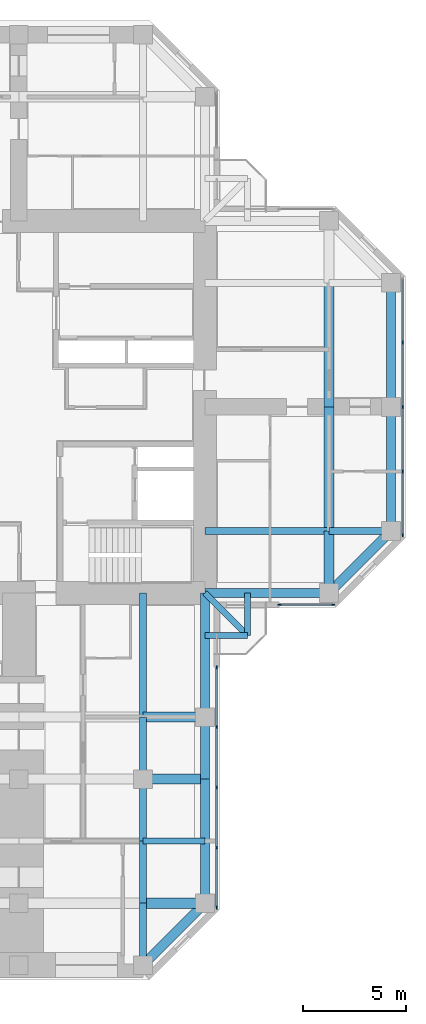
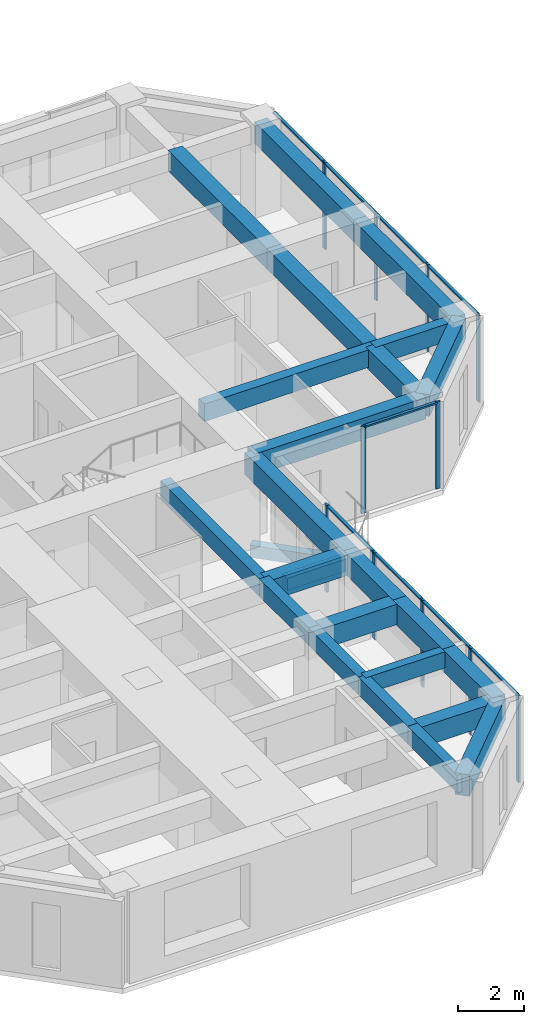
# One storey, part 4 of 14: 26 beams, 20 members, 3 elements without a shape of their own.
"""IFC4 building model written with IfcOpenShell, lengths in metres."""

from ifc_helpers import new_model, si_unit, direction, frame, origin, origin_2d, place, context, subcontext, project, spatial, rectangle, extrude, material, material_profile, profile_set, type_object, element, aggregate, save


model = new_model("IFC4")

# Units and contexts
model_context = context("Model", 3, precision=1e-05, world=origin(), true_north=direction((0.0, 1.0)))
body_context = subcontext(model_context, "Body", "Model", "MODEL_VIEW")
ifc_project = project(units=[si_unit("LENGTHUNIT", "METRE"), si_unit("AREAUNIT", "SQUARE_METRE"), si_unit("VOLUMEUNIT", "CUBIC_METRE"), si_unit("PLANEANGLEUNIT", "RADIAN"), si_unit("MASSUNIT", "GRAM", prefix="KILO")], contexts=[model_context])

# Site, building, storey
site_placement = place(None, origin())
site = spatial("IfcSite", under=ifc_project, at=site_placement, CompositionType="ELEMENT")
building_placement = place(site_placement, origin())
building = spatial("IfcBuilding", under=site, at=building_placement, Name="Torre Cruceta", CompositionType="ELEMENT")
storey_placement = place(building_placement, frame((0.0, 0.0, 210.300048828125)))
storey = spatial("IfcBuildingStorey", under=building, at=storey_placement, Name="L53", CompositionType="ELEMENT", Elevation=210.300048828125)

# Beams
ifc_material_1 = material(Name="Concrete G60 (fck 60 MPa)", Category="concrete")
ifc_material_profile_1 = material_profile(ifc_material_1, rectangle(XDim=0.300048828125, YDim=0.449951171875, at=origin_2d()), Name="RC 300X450")
ifc_profile_set_1 = profile_set([ifc_material_profile_1], Name="Concrete G60 (fck 60 MPa)")
beam_type_1 = type_object("IfcBeamType", Name="BALCONY CANTILEVER BEAM RC 300X450", PredefinedType="BEAM", material=ifc_profile_set_1)
beam_1_placement = place(storey_placement, frame((9.0, -9.0, -0.405029296875), z_axis=(0.707106781187, -0.707106781187, 0.0), x_axis=(0.707106781187, 0.707106781187, 0.0)))
element("IfcBeam", 1, at=beam_1_placement, inside=storey, type_object=beam_type_1, Name="BB1 balcony beam L53 S", PredefinedType="BEAM", context=body_context, shape_type="SweptSolid", body=[
    extrude(rectangle(XDim=0.300048828125, YDim=0.449951171875, at=origin_2d()), origin(), (0.0, 0.0, 1.0), 2.89990234375),
])
for number, where, z_axis, x_axis, name in (
    (2, (11.050537109375, -9.0, -0.405029296875), (0.0, -1.0, 0.0), (1.0, 0.0, 0.0), "BB1 balcony edge beam L53 S-X"),
    (3, (9.0, -11.050537109375, -0.405029296875), (1.0, 0.0, 0.0), (0.0, 1.0, 0.0), "BB1 balcony edge beam L53 S-Y"),
):
    element("IfcBeam", number, at=place(storey_placement, frame(where, z_axis=z_axis, x_axis=x_axis)), inside=storey, type_object=beam_type_1, Name=name, PredefinedType="BEAM", context=body_context, shape_type="SweptSolid", body=[
        extrude(rectangle(XDim=0.300048828125, YDim=0.449951171875, at=origin_2d()), origin(), (0.0, 0.0, 1.0), 2.050537109375),
    ])
ifc_material_2 = material(Name="Concrete G60 (fck 60 MPa)", Category="concrete")
ifc_material_profile_2 = material_profile(ifc_material_2, rectangle(XDim=0.35009765625, YDim=0.64990234375, at=origin_2d()), Name="RC 350X650")
ifc_profile_set_2 = profile_set([ifc_material_profile_2], Name="Concrete G60 (fck 60 MPa)")
beam_type_2 = type_object("IfcBeamType", Name="COLUMN LINE BEAM RC 350X650", PredefinedType="BEAM", material=ifc_profile_set_2)
beam_2_placement = place(storey_placement, frame((9.0, -6.0, 2.89501953125), z_axis=(1.0, 0.0, 0.0), x_axis=(0.0, 1.0, 0.0)))
element("IfcBeam", 4, at=beam_2_placement, inside=storey, type_object=beam_type_2, Name="LB7 L53 E col- 1", PredefinedType="BEAM", context=body_context, shape_type="SweptSolid", body=[
    extrude(rectangle(XDim=0.35009765625, YDim=0.64990234375, at=origin_2d()), origin(), (0.0, 0.0, 1.0), 6.0),
])
beam_3_placement = place(storey_placement, frame((15.0, -6.0, 2.89501953125), z_axis=(1.0, 0.0, 0.0), x_axis=(0.0, 1.0, 0.0)))
element("IfcBeam", 5, at=beam_3_placement, inside=storey, type_object=beam_type_2, Name="LB7 L53 E col- 2", PredefinedType="BEAM", context=body_context, shape_type="SweptSolid", body=[
    extrude(rectangle(XDim=0.35009765625, YDim=0.64990234375, at=origin_2d()), origin(), (0.0, 0.0, 1.0), 3.0),
])
beam_4_placement = place(storey_placement, frame((6.0, -9.0, 2.89501953125), z_axis=(0.0, -1.0, 0.0), x_axis=(1.0, 0.0, 0.0)))
element("IfcBeam", 6, at=beam_4_placement, inside=storey, type_object=beam_type_2, Name="LB7 L53 S col+ 1", PredefinedType="BEAM", context=body_context, shape_type="SweptSolid", body=[
    extrude(rectangle(XDim=0.35009765625, YDim=0.64990234375, at=origin_2d()), origin(), (0.0, 0.0, 1.0), 6.0),
])
for number, where, z_axis, x_axis, name in (
    (7, (6.0, -15.0, 2.89501953125), (0.0, -1.0, 0.0), (1.0, 0.0, 0.0), "LB7 L53 S col+ 2"),
    (8, (6.0, -18.0, 2.89501953125), (0.0, -1.0, 0.0), (1.0, 0.0, 0.0), "LB7 L53 S col+ 3"),
    (9, (6.0, -21.0, 2.89501953125), (0.0, -1.0, 0.0), (1.0, 0.0, 0.0), "LB7 L53 S col+ 4"),
    (10, (6.0, -24.0, 2.89501953125), (0.0, -1.0, 0.0), (1.0, 0.0, 0.0), "LB7 L53 S col+ 5"),
):
    element("IfcBeam", number, at=place(storey_placement, frame(where, z_axis=z_axis, x_axis=x_axis)), inside=storey, type_object=beam_type_2, Name=name, PredefinedType="BEAM", context=body_context, shape_type="SweptSolid", body=[
        extrude(rectangle(XDim=0.35009765625, YDim=0.64990234375, at=origin_2d()), origin(), (0.0, 0.0, 1.0), 3.0),
    ])
ifc_material_3 = material(Name="Concrete G60 (fck 60 MPa)", Category="concrete")
ifc_material_profile_3 = material_profile(ifc_material_3, rectangle(XDim=0.5, YDim=0.75, at=origin_2d()), Name="RC 500X750")
ifc_profile_set_3 = profile_set([ifc_material_profile_3], Name="Concrete G60 (fck 60 MPa)")
beam_type_3 = type_object("IfcBeamType", Name="CROSS BEAM RC 500X750", PredefinedType="BEAM", material=ifc_profile_set_3)
beam_5_placement = place(storey_placement, frame((15.0, -9.0, 2.844970703125), z_axis=(0.0, 1.0, 0.0), x_axis=(-1.0, 0.0, 0.0)))
element("IfcBeam", 11, at=beam_5_placement, inside=storey, type_object=beam_type_3, Name="GB6 L53 E cross15 1", PredefinedType="BEAM", context=body_context, shape_type="SweptSolid", body=[
    extrude(rectangle(XDim=0.5, YDim=0.75, at=origin_2d()), origin(), (0.0, 0.0, 1.0), 3.0),
])
for number, where, z_axis, x_axis, name in (
    (12, (15.0, -6.0, 2.844970703125), (0.0, 1.0, 0.0), (-1.0, 0.0, 0.0), "GB6 L53 E cross15 2"),
    (13, (15.0, 0.0, 2.844970703125), (0.0, 1.0, 0.0), (-1.0, 0.0, 0.0), "GB6 L53 E cross15 3"),
):
    element("IfcBeam", number, at=place(storey_placement, frame(where, z_axis=z_axis, x_axis=x_axis)), inside=storey, type_object=beam_type_3, Name=name, PredefinedType="BEAM", context=body_context, shape_type="SweptSolid", body=[
        extrude(rectangle(XDim=0.5, YDim=0.75, at=origin_2d()), origin(), (0.0, 0.0, 1.0), 6.0),
    ])
for number, where, z_axis, x_axis, name in (
    (14, (6.0, -15.0, 2.844970703125), (1.0, 0.0, 0.0), (0.0, 1.0, 0.0), "GB6 L53 S cross15 4"),
    (15, (6.0, -18.0, 2.844970703125), (1.0, 0.0, 0.0), (0.0, 1.0, 0.0), "GB6 L53 S cross18 4"),
    (16, (6.0, -24.0, 2.844970703125), (1.0, 0.0, 0.0), (0.0, 1.0, 0.0), "GB6 L53 S cross24 4"),
):
    element("IfcBeam", number, at=place(storey_placement, frame(where, z_axis=z_axis, x_axis=x_axis)), inside=storey, type_object=beam_type_3, Name=name, PredefinedType="BEAM", context=body_context, shape_type="SweptSolid", body=[
        extrude(rectangle(XDim=0.5, YDim=0.75, at=origin_2d()), origin(), (0.0, 0.0, 1.0), 3.0),
    ])

# Curtain wall, members
ifc_material_4 = material(Name="Aluminium unitised curtain wall", Category="aluminium")
curtain_wall_type = type_object("IfcCurtainWallType", Name="CURTAIN WALL CW-C CO-LIVING", PredefinedType="USERDEFINED", material=ifc_material_4)
curtain_wall_1_placement = place(storey_placement, origin())
curtain_wall_1 = element("IfcCurtainWall", 17, at=curtain_wall_1_placement, inside=storey, type_object=curtain_wall_type, Name="CW-C L53 E side 00", ObjectType="UNITISED", PredefinedType="USERDEFINED")
ifc_material_5 = material(Name="Aluminium mullion", Category="aluminium")
ifc_material_profile_4 = material_profile(ifc_material_5, rectangle(XDim=0.06005859375, YDim=0.159912109375, at=origin_2d()), Name="AL 60X160")
ifc_profile_set_4 = profile_set([ifc_material_profile_4], Name="Aluminium mullion")
member_type_1 = type_object("IfcMemberType", Name="CW-C MULLION 60X160", PredefinedType="MULLION", material=ifc_profile_set_4)
member_1_placement = place(storey_placement, frame((12.60009765625, -9.570068359375, 0.0), z_axis=(0.0, 0.0, 1.0), x_axis=(0.0, 1.0, 0.0)))
member_1 = element("IfcMember", 18, at=member_1_placement, type_object=member_type_1, Name="CW-C mullion 1", PredefinedType="MULLION", context=body_context, shape_type="SweptSolid", body=[
    extrude(rectangle(XDim=0.06005859375, YDim=0.159912109375, at=origin_2d()), origin(), (0.0, 0.0, 1.0), 3.219970703125),
])
member_2_placement = place(storey_placement, frame((15.2060546875, -9.570068359375, 0.0), z_axis=(0.0, 0.0, 1.0), x_axis=(0.0, 1.0, 0.0)))
member_2 = element("IfcMember", 19, at=member_2_placement, type_object=member_type_1, Name="CW-C mullion 2", PredefinedType="MULLION", context=body_context, shape_type="SweptSolid", body=[
    extrude(rectangle(XDim=0.06005859375, YDim=0.159912109375, at=origin_2d()), origin(), (0.0, 0.0, 1.0), 3.219970703125),
])

curtain_wall_2_placement = place(storey_placement, origin())
curtain_wall_2 = element("IfcCurtainWall", 20, at=curtain_wall_2_placement, inside=storey, type_object=curtain_wall_type, Name="CW-C L53 E tip 02", ObjectType="UNITISED", PredefinedType="USERDEFINED")
member_3_placement = place(storey_placement, frame((18.570068359375, -6.2060546875, 0.0), z_axis=(0.0, 0.0, 1.0), x_axis=(-1.0, 0.0, 0.0)))
member_3 = element("IfcMember", 21, at=member_3_placement, type_object=member_type_1, Name="CW-C mullion 1", PredefinedType="MULLION", context=body_context, shape_type="SweptSolid", body=[
    extrude(rectangle(XDim=0.06005859375, YDim=0.159912109375, at=origin_2d()), origin(), (0.0, 0.0, 1.0), 3.219970703125),
])
member_4_placement = place(storey_placement, frame((18.570068359375, -3.1181640625, 0.0), z_axis=(0.0, 0.0, 1.0), x_axis=(-1.0, 0.0, 0.0)))
member_4 = element("IfcMember", 22, at=member_4_placement, type_object=member_type_1, Name="CW-C mullion 2", PredefinedType="MULLION", context=body_context, shape_type="SweptSolid", body=[
    extrude(rectangle(XDim=0.06005859375, YDim=0.159912109375, at=origin_2d()), origin(), (0.0, 0.0, 1.0), 3.219970703125),
])
member_5_placement = place(storey_placement, frame((18.570068359375, 0.0, 0.0), z_axis=(0.0, 0.0, 1.0), x_axis=(-1.0, 0.0, 0.0)))
member_5 = element("IfcMember", 23, at=member_5_placement, type_object=member_type_1, Name="CW-C mullion 3", PredefinedType="MULLION", context=body_context, shape_type="SweptSolid", body=[
    extrude(rectangle(XDim=0.06005859375, YDim=0.159912109375, at=origin_2d()), origin(), (0.0, 0.0, 1.0), 3.219970703125),
])
member_6_placement = place(storey_placement, frame((18.570068359375, 3.1181640625, 0.0), z_axis=(0.0, 0.0, 1.0), x_axis=(-1.0, 0.0, 0.0)))
member_6 = element("IfcMember", 24, at=member_6_placement, type_object=member_type_1, Name="CW-C mullion 4", PredefinedType="MULLION", context=body_context, shape_type="SweptSolid", body=[
    extrude(rectangle(XDim=0.06005859375, YDim=0.159912109375, at=origin_2d()), origin(), (0.0, 0.0, 1.0), 3.219970703125),
])

curtain_wall_3_placement = place(storey_placement, origin())
curtain_wall_3 = element("IfcCurtainWall", 25, at=curtain_wall_3_placement, inside=storey, type_object=curtain_wall_type, Name="CW-C L53 S side 19", ObjectType="UNITISED", PredefinedType="USERDEFINED")
member_7_placement = place(storey_placement, frame((9.570068359375, -24.2060546875, 0.0), z_axis=(0.0, 0.0, 1.0), x_axis=(-1.0, 0.0, 0.0)))
member_7 = element("IfcMember", 26, at=member_7_placement, type_object=member_type_1, Name="CW-C mullion 1", PredefinedType="MULLION", context=body_context, shape_type="SweptSolid", body=[
    extrude(rectangle(XDim=0.06005859375, YDim=0.159912109375, at=origin_2d()), origin(), (0.0, 0.0, 1.0), 3.219970703125),
])
member_8_placement = place(storey_placement, frame((9.570068359375, -21.319580078125, 0.0), z_axis=(0.0, 0.0, 1.0), x_axis=(-1.0, 0.0, 0.0)))
member_8 = element("IfcMember", 27, at=member_8_placement, type_object=member_type_1, Name="CW-C mullion 2", PredefinedType="MULLION", context=body_context, shape_type="SweptSolid", body=[
    extrude(rectangle(XDim=0.06005859375, YDim=0.159912109375, at=origin_2d()), origin(), (0.0, 0.0, 1.0), 3.219970703125),
])
member_9_placement = place(storey_placement, frame((9.570068359375, -18.403076171875, 0.0), z_axis=(0.0, 0.0, 1.0), x_axis=(-1.0, 0.0, 0.0)))
member_9 = element("IfcMember", 28, at=member_9_placement, type_object=member_type_1, Name="CW-C mullion 3", PredefinedType="MULLION", context=body_context, shape_type="SweptSolid", body=[
    extrude(rectangle(XDim=0.06005859375, YDim=0.159912109375, at=origin_2d()), origin(), (0.0, 0.0, 1.0), 3.219970703125),
])
member_10_placement = place(storey_placement, frame((9.570068359375, -15.486572265625, 0.0), z_axis=(0.0, 0.0, 1.0), x_axis=(-1.0, 0.0, 0.0)))
member_10 = element("IfcMember", 29, at=member_10_placement, type_object=member_type_1, Name="CW-C mullion 4", PredefinedType="MULLION", context=body_context, shape_type="SweptSolid", body=[
    extrude(rectangle(XDim=0.06005859375, YDim=0.159912109375, at=origin_2d()), origin(), (0.0, 0.0, 1.0), 3.219970703125),
])
member_11_placement = place(storey_placement, frame((9.570068359375, -12.60009765625, 0.0), z_axis=(0.0, 0.0, 1.0), x_axis=(-1.0, 0.0, 0.0)))
member_11 = element("IfcMember", 30, at=member_11_placement, type_object=member_type_1, Name="CW-C mullion 5", PredefinedType="MULLION", context=body_context, shape_type="SweptSolid", body=[
    extrude(rectangle(XDim=0.06005859375, YDim=0.159912109375, at=origin_2d()), origin(), (0.0, 0.0, 1.0), 3.219970703125),
])

# Member
ifc_material_6 = material(Name="Aluminium transom", Category="aluminium")
ifc_material_profile_5 = material_profile(ifc_material_6, rectangle(XDim=0.10009765625, YDim=0.06005859375, at=origin_2d()), Name="AL 100X60")
ifc_profile_set_5 = profile_set([ifc_material_profile_5], Name="Aluminium transom")
member_type_2 = type_object("IfcMemberType", Name="CW-C TRANSOM 60X100", PredefinedType="USERDEFINED", material=ifc_profile_set_5)
member_12_placement = place(storey_placement, frame((12.6298828125, -9.570068359375, 3.18994140625), z_axis=(1.0, 0.0, 0.0), x_axis=(0.0, 1.0, 0.0)))
member_12 = element("IfcMember", 31, at=member_12_placement, type_object=member_type_2, Name="CW-C transom 1", ObjectType="TRANSOM", PredefinedType="USERDEFINED", context=body_context, shape_type="SweptSolid", body=[
    extrude(rectangle(XDim=0.10009765625, YDim=0.06005859375, at=origin_2d()), origin(), (0.0, 0.0, 1.0), 2.546142578125),
])

aggregate(curtain_wall_1, [member_1, member_2, member_12])

member_13_placement = place(storey_placement, frame((18.570068359375, -6.176025390625, 3.18994140625), z_axis=(0.0, 1.0, 0.0), x_axis=(-1.0, 0.0, 0.0)))
member_13 = element("IfcMember", 32, at=member_13_placement, type_object=member_type_2, Name="CW-C transom 1", ObjectType="TRANSOM", PredefinedType="USERDEFINED", context=body_context, shape_type="SweptSolid", body=[
    extrude(rectangle(XDim=0.10009765625, YDim=0.06005859375, at=origin_2d()), origin(), (0.0, 0.0, 1.0), 3.028076171875),
])

member_14_placement = place(storey_placement, frame((18.570068359375, -3.088134765625, 3.18994140625), z_axis=(0.0, 1.0, 0.0), x_axis=(-1.0, 0.0, 0.0)))
member_14 = element("IfcMember", 33, at=member_14_placement, type_object=member_type_2, Name="CW-C transom 2", ObjectType="TRANSOM", PredefinedType="USERDEFINED", context=body_context, shape_type="SweptSolid", body=[
    extrude(rectangle(XDim=0.10009765625, YDim=0.06005859375, at=origin_2d()), origin(), (0.0, 0.0, 1.0), 3.05810546875),
])

member_15_placement = place(storey_placement, frame((18.570068359375, 0.030029296875, 3.18994140625), z_axis=(0.0, 1.0, 0.0), x_axis=(-1.0, 0.0, 0.0)))
member_15 = element("IfcMember", 34, at=member_15_placement, type_object=member_type_2, Name="CW-C transom 3", ObjectType="TRANSOM", PredefinedType="USERDEFINED", context=body_context, shape_type="SweptSolid", body=[
    extrude(rectangle(XDim=0.10009765625, YDim=0.06005859375, at=origin_2d()), origin(), (0.0, 0.0, 1.0), 3.05810546875),
])

member_16_placement = place(storey_placement, frame((18.570068359375, 3.14794921875, 3.18994140625), z_axis=(0.0, 1.0, 0.0), x_axis=(-1.0, 0.0, 0.0)))
member_16 = element("IfcMember", 35, at=member_16_placement, type_object=member_type_2, Name="CW-C transom 4", ObjectType="TRANSOM", PredefinedType="USERDEFINED", context=body_context, shape_type="SweptSolid", body=[
    extrude(rectangle(XDim=0.10009765625, YDim=0.06005859375, at=origin_2d()), origin(), (0.0, 0.0, 1.0), 3.028076171875),
])

aggregate(curtain_wall_2, [member_3, member_4, member_5, member_6, member_13, member_14, member_15, member_16])

member_17_placement = place(storey_placement, frame((9.570068359375, -24.176025390625, 3.18994140625), z_axis=(0.0, 1.0, 0.0), x_axis=(-1.0, 0.0, 0.0)))
member_17 = element("IfcMember", 36, at=member_17_placement, type_object=member_type_2, Name="CW-C transom 1", ObjectType="TRANSOM", PredefinedType="USERDEFINED", context=body_context, shape_type="SweptSolid", body=[
    extrude(rectangle(XDim=0.10009765625, YDim=0.06005859375, at=origin_2d()), origin(), (0.0, 0.0, 1.0), 2.826416015625),
])

member_18_placement = place(storey_placement, frame((9.570068359375, -21.28955078125, 3.18994140625), z_axis=(0.0, 1.0, 0.0), x_axis=(-1.0, 0.0, 0.0)))
member_18 = element("IfcMember", 37, at=member_18_placement, type_object=member_type_2, Name="CW-C transom 2", ObjectType="TRANSOM", PredefinedType="USERDEFINED", context=body_context, shape_type="SweptSolid", body=[
    extrude(rectangle(XDim=0.10009765625, YDim=0.06005859375, at=origin_2d()), origin(), (0.0, 0.0, 1.0), 2.8564453125),
])

member_19_placement = place(storey_placement, frame((9.570068359375, -18.373046875, 3.18994140625), z_axis=(0.0, 1.0, 0.0), x_axis=(-1.0, 0.0, 0.0)))
member_19 = element("IfcMember", 38, at=member_19_placement, type_object=member_type_2, Name="CW-C transom 3", ObjectType="TRANSOM", PredefinedType="USERDEFINED", context=body_context, shape_type="SweptSolid", body=[
    extrude(rectangle(XDim=0.10009765625, YDim=0.06005859375, at=origin_2d()), origin(), (0.0, 0.0, 1.0), 2.8564453125),
])

member_20_placement = place(storey_placement, frame((9.570068359375, -15.45654296875, 3.18994140625), z_axis=(0.0, 1.0, 0.0), x_axis=(-1.0, 0.0, 0.0)))
member_20 = element("IfcMember", 39, at=member_20_placement, type_object=member_type_2, Name="CW-C transom 4", ObjectType="TRANSOM", PredefinedType="USERDEFINED", context=body_context, shape_type="SweptSolid", body=[
    extrude(rectangle(XDim=0.10009765625, YDim=0.06005859375, at=origin_2d()), origin(), (0.0, 0.0, 1.0), 2.82666015625),
])

aggregate(curtain_wall_3, [member_7, member_8, member_9, member_10, member_11, member_17, member_18, member_19, member_20])

# Beams
ifc_material_7 = material(Name="Concrete G60 (fck 60 MPa)", Category="concrete")
ifc_material_profile_6 = material_profile(ifc_material_7, rectangle(XDim=0.300048828125, YDim=0.60009765625, at=origin_2d()), Name="RC 300X600")
ifc_profile_set_6 = profile_set([ifc_material_profile_6], Name="Concrete G60 (fck 60 MPa)")
beam_type_4 = type_object("IfcBeamType", Name="SECONDARY BEAM RC 300X600", PredefinedType="JOIST", material=ifc_profile_set_6)
beam_6_placement = place(storey_placement, frame((6.0, -21.0, 2.919921875), z_axis=(1.0, 0.0, 0.0), x_axis=(0.0, 1.0, 0.0)))
element("IfcBeam", 40, at=beam_6_placement, inside=storey, type_object=beam_type_4, Name="JB6 L53 S sec21 4", PredefinedType="JOIST", context=body_context, shape_type="SweptSolid", body=[
    extrude(rectangle(XDim=0.300048828125, YDim=0.60009765625, at=origin_2d()), origin(), (0.0, 0.0, 1.0), 3.0),
])
ifc_material_8 = material(Name="Concrete G60 (fck 60 MPa)", Category="concrete")
ifc_material_profile_7 = material_profile(ifc_material_8, rectangle(XDim=0.449951171875, YDim=0.800048828125, at=origin_2d()), Name="RC 450X800")
ifc_profile_set_7 = profile_set([ifc_material_profile_7], Name="Concrete G60 (fck 60 MPa)")
beam_type_5 = type_object("IfcBeamType", Name="SPANDREL BEAM RC 450X800", PredefinedType="SPANDREL", material=ifc_profile_set_7)
beam_7_placement = place(storey_placement, frame((9.0, -9.0, 2.820068359375), z_axis=(1.0, 0.0, 0.0), x_axis=(0.0, 1.0, 0.0)))
element("IfcBeam", 41, at=beam_7_placement, inside=storey, type_object=beam_type_5, Name="SB6 L53 E side- 1", PredefinedType="SPANDREL", context=body_context, shape_type="SweptSolid", body=[
    extrude(rectangle(XDim=0.449951171875, YDim=0.800048828125, at=origin_2d()), origin(), (0.0, 0.0, 1.0), 6.0),
])
beam_8_placement = place(storey_placement, frame((15.0, -9.0, 2.820068359375), z_axis=(0.707106781187, 0.707106781187, 0.0), x_axis=(-0.707106781187, 0.707106781187, 0.0)))
element("IfcBeam", 42, at=beam_8_placement, inside=storey, type_object=beam_type_5, Name="SB6 L53 E side- 2", PredefinedType="SPANDREL", context=body_context, shape_type="SweptSolid", body=[
    extrude(rectangle(XDim=0.449951171875, YDim=0.800048828125, at=origin_2d()), origin(), (0.0, 0.0, 1.0), 4.24267578125),
])
for number, where, z_axis, x_axis, name in (
    (43, (18.0, -6.0, 2.820068359375), (0.0, 1.0, 0.0), (-1.0, 0.0, 0.0), "SB6 L53 E tip 1"),
    (44, (18.0, 0.0, 2.820068359375), (0.0, 1.0, 0.0), (-1.0, 0.0, 0.0), "SB6 L53 E tip 2"),
    (45, (9.0, -9.0, 2.820068359375), (0.0, -1.0, 0.0), (1.0, 0.0, 0.0), "SB6 L53 S side+ 1"),
):
    element("IfcBeam", number, at=place(storey_placement, frame(where, z_axis=z_axis, x_axis=x_axis)), inside=storey, type_object=beam_type_5, Name=name, PredefinedType="SPANDREL", context=body_context, shape_type="SweptSolid", body=[
        extrude(rectangle(XDim=0.449951171875, YDim=0.800048828125, at=origin_2d()), origin(), (0.0, 0.0, 1.0), 6.0),
    ])
for number, where, z_axis, x_axis, name in (
    (46, (9.0, -15.0, 2.820068359375), (0.0, -1.0, 0.0), (1.0, 0.0, 0.0), "SB6 L53 S side+ 2"),
    (47, (9.0, -18.0, 2.820068359375), (0.0, -1.0, 0.0), (1.0, 0.0, 0.0), "SB6 L53 S side+ 3"),
    (48, (9.0, -21.0, 2.820068359375), (0.0, -1.0, 0.0), (1.0, 0.0, 0.0), "SB6 L53 S side+ 4"),
):
    element("IfcBeam", number, at=place(storey_placement, frame(where, z_axis=z_axis, x_axis=x_axis)), inside=storey, type_object=beam_type_5, Name=name, PredefinedType="SPANDREL", context=body_context, shape_type="SweptSolid", body=[
        extrude(rectangle(XDim=0.449951171875, YDim=0.800048828125, at=origin_2d()), origin(), (0.0, 0.0, 1.0), 3.0),
    ])
beam_9_placement = place(storey_placement, frame((9.0, -24.0, 2.820068359375), z_axis=(-0.707106781187, -0.707106781187, 0.0), x_axis=(0.707106781187, -0.707106781187, 0.0)))
element("IfcBeam", 49, at=beam_9_placement, inside=storey, type_object=beam_type_5, Name="SB6 L53 S side+ 5", PredefinedType="SPANDREL", context=body_context, shape_type="SweptSolid", body=[
    extrude(rectangle(XDim=0.449951171875, YDim=0.800048828125, at=origin_2d()), origin(), (0.0, 0.0, 1.0), 4.24267578125),
])

save(model, "model.ifc")
